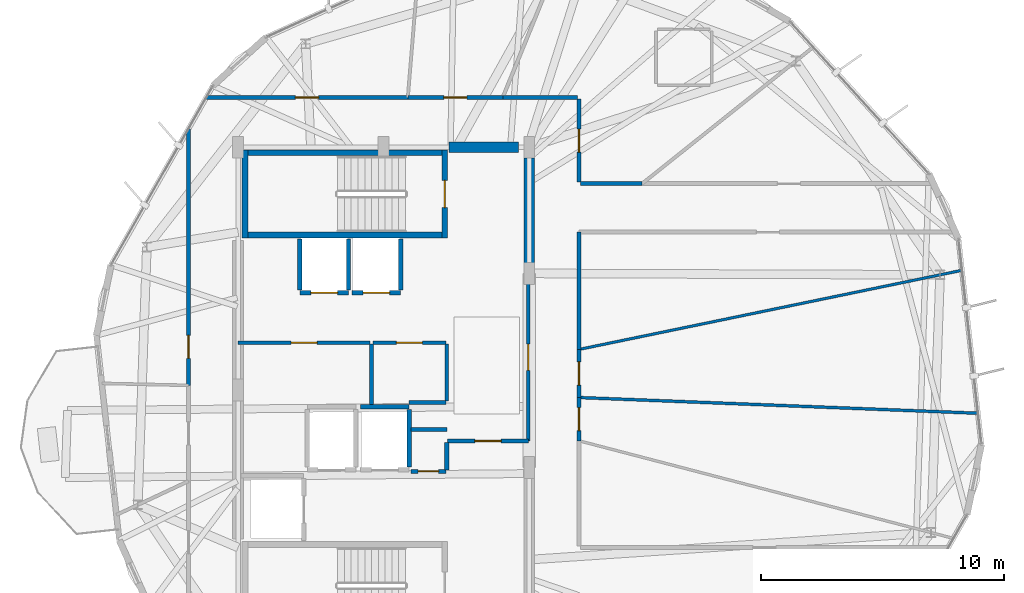
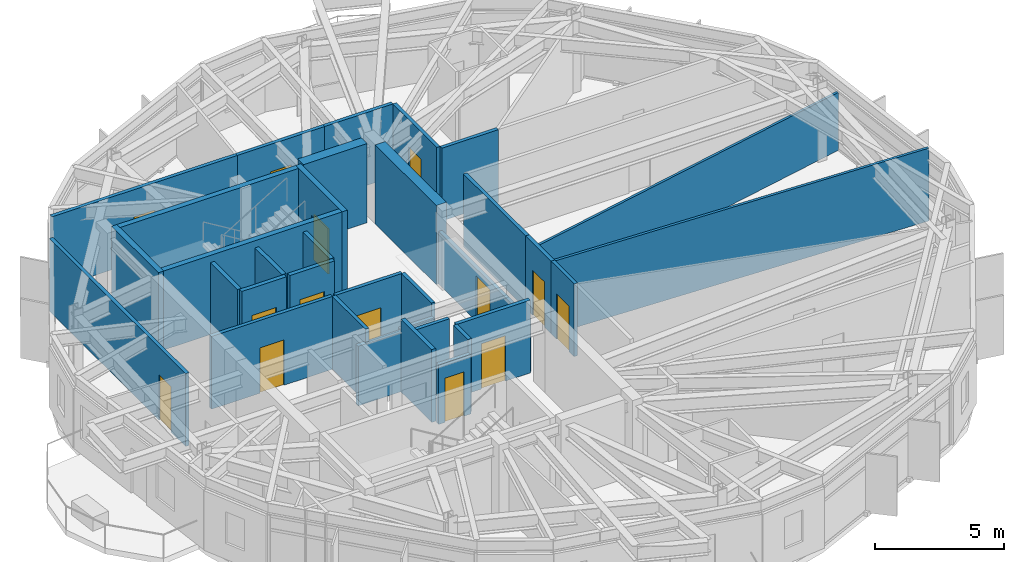
# One storey, part 18 of 23: 34 walls, 14 doors, 14 openings.
"""IFC4 building model written with IfcOpenShell, lengths in metres."""

from ifc_helpers import new_model, si_unit, direction, frame, frame_2d, origin, place, context, subcontext, project, spatial, rectangle, extrude, material, layer, layer_set, type_object, element, fill, save


model = new_model("IFC4")

# Units and contexts
model_context = context("Model", 3, precision=1e-05, world=origin(), true_north=direction((0.0, 1.0)))
body_context = subcontext(model_context, "Body", "Model", "MODEL_VIEW")
ifc_project = project(units=[si_unit("LENGTHUNIT", "METRE"), si_unit("AREAUNIT", "SQUARE_METRE"), si_unit("VOLUMEUNIT", "CUBIC_METRE"), si_unit("PLANEANGLEUNIT", "RADIAN"), si_unit("MASSUNIT", "GRAM", prefix="KILO")], contexts=[model_context])

# Site, building, storey
site_placement = place(None, origin())
site = spatial("IfcSite", under=ifc_project, at=site_placement, CompositionType="ELEMENT")
building_placement = place(site_placement, origin())
building = spatial("IfcBuilding", under=site, at=building_placement, Name="Soratama Intermodal Tower", CompositionType="ELEMENT")
storey_placement = place(building_placement, frame((0.0, 0.0, 257.5)))
storey = spatial("IfcBuildingStorey", under=building, at=storey_placement, Name="L65", CompositionType="ELEMENT", Elevation=257.5)

# Wall, opening, door
ifc_material_1 = material(Name="Fire-rated gypsum stud partition", Category="concrete")
ifc_layer_1 = layer(ifc_material_1, 0.159912109375)
ifc_layer_set_1 = layer_set([ifc_layer_1], Name="Fire-rated gypsum stud partition")
wall_type_1 = type_object("IfcWallType", Name="IW-PART-R160", PredefinedType="PARTITIONING", material=ifc_layer_set_1)
wall_1_placement = place(storey_placement, frame((30.550048828125, 25.18505859375, 0.0), z_axis=(0.0, 0.0, 1.0), x_axis=(0.0, 1.0, 0.0)))
wall_1 = element("IfcWall", 1, at=wall_1_placement, inside=storey, type_object=wall_type_1, Name="L65 Partition W-L65-TP008", PredefinedType="PARTITIONING", context=body_context, shape_type="SweptSolid", body=[
    extrude(rectangle(XDim=10.573974609375, YDim=0.159912109375, at=frame_2d((5.287109375, 0.0))), origin(), (0.0, 0.0, 1.0), 3.449951171875),
])
opening_1_placement = place(wall_1_placement, frame((1.111083984375, 0.0, 0.0)))
opening_1 = element("IfcOpeningElement", 2, at=opening_1_placement, cuts=wall_1, Name="Opening ID-3", PredefinedType="OPENING", context=body_context, shape_type="SweptSolid", body=[
    extrude(rectangle(XDim=0.949951171875, YDim=2.14990234375, at=frame_2d((0.47509765625, 1.074951171875))), frame((0.0, 0.08984375, 0.0), z_axis=(0.0, -1.0, 0.0), x_axis=(1.0, 0.0, 0.0)), (0.0, 0.0, 1.0), 0.179931640625),
])
ifc_material_2 = material(Name="Solid hardwood acoustic door", Category="wood")
door_type_1 = type_object("IfcDoorType", Name="DR-ROOM-950", OperationType="NOTDEFINED", PredefinedType="DOOR", material=ifc_material_2)
door_1_placement = place(opening_1_placement, origin())
door_1 = element("IfcDoor", 3, at=door_1_placement, inside=storey, type_object=door_type_1, Name="L65 Door D-L65-TP005", OperationType="SINGLE_SWING_RIGHT", OverallHeight=2.14990234375, OverallWidth=0.949951171875, PredefinedType="DOOR", context=body_context, shape_type="SweptSolid", body=[
    extrude(rectangle(XDim=0.949951171875, YDim=2.14990234375, at=frame_2d((0.47509765625, 1.074951171875))), frame((0.0, 0.02490234375, 0.0), z_axis=(0.0, -1.0, 0.0), x_axis=(1.0, 0.0, 0.0)), (0.0, 0.0, 1.0), 0.050048828125),
])
fill(opening_1, door_1)

wall_2_placement = place(storey_placement, frame((31.284912109375, 37.050048828125, 0.0), z_axis=(0.0, 0.0, 1.0), x_axis=(1.0, 0.0, 0.0)))
wall_2 = element("IfcWall", 4, at=wall_2_placement, inside=storey, type_object=wall_type_1, Name="L65 Partition W-L65-TP011", PredefinedType="PARTITIONING", context=body_context, shape_type="SweptSolid", body=[
    extrude(rectangle(XDim=8.31005859375, YDim=0.159912109375, at=frame_2d((4.155029296875, 0.0))), origin(), (0.0, 0.0, 1.0), 3.449951171875),
])
opening_2_placement = place(wall_2_placement, frame((3.679931640625, 0.0, 0.0)))
opening_2 = element("IfcOpeningElement", 5, at=opening_2_placement, cuts=wall_2, Name="Opening ID-3", PredefinedType="OPENING", context=body_context, shape_type="SweptSolid", body=[
    extrude(rectangle(XDim=0.949951171875, YDim=2.14990234375, at=frame_2d((0.47509765625, 1.074951171875))), frame((0.0, 0.08984375, 0.0), z_axis=(0.0, -1.0, 0.0), x_axis=(1.0, 0.0, 0.0)), (0.0, 0.0, 1.0), 0.179931640625),
])
door_2_placement = place(opening_2_placement, origin())
door_2 = element("IfcDoor", 6, at=door_2_placement, inside=storey, type_object=door_type_1, Name="L65 Door D-L65-TP006", OperationType="SINGLE_SWING_LEFT", OverallHeight=2.14990234375, OverallWidth=0.949951171875, PredefinedType="DOOR", context=body_context, shape_type="SweptSolid", body=[
    extrude(rectangle(XDim=0.949951171875, YDim=2.14990234375, at=frame_2d((0.47509765625, 1.074951171875))), frame((0.0, 0.02490234375, 0.0), z_axis=(0.0, -1.0, 0.0), x_axis=(1.0, 0.0, 0.0)), (0.0, 0.0, 1.0), 0.050048828125),
])
fill(opening_2, door_2)

wall_3_placement = place(storey_placement, frame((44.56005859375, 29.800048828125, 0.0), z_axis=(0.0, 0.0, 1.0), x_axis=(0.0, -1.0, 0.0)))
wall_3 = element("IfcWall", 7, at=wall_3_placement, inside=storey, type_object=wall_type_1, Name="L65 Partition W-L65-TP013", PredefinedType="PARTITIONING", context=body_context, shape_type="SweptSolid", body=[
    extrude(rectangle(XDim=6.91015625, YDim=0.159912109375, at=frame_2d((3.455078125, 0.0))), origin(), (0.0, 0.0, 1.0), 2.489990234375),
])
opening_3_placement = place(wall_3_placement, frame((2.9150390625, 0.0, 0.0)))
opening_3 = element("IfcOpeningElement", 8, at=opening_3_placement, cuts=wall_3, Name="Opening ID-1", PredefinedType="OPENING", context=body_context, shape_type="SweptSolid", body=[
    extrude(rectangle(XDim=1.080078125, YDim=2.14990234375, at=frame_2d((0.5400390625, 1.074951171875))), frame((0.0, 0.08984375, 0.0), z_axis=(0.0, -1.0, 0.0), x_axis=(1.0, 0.0, 0.0)), (0.0, 0.0, 1.0), 0.179931640625),
])
ifc_material_3 = material(Name="Solid hardwood acoustic door", Category="wood")
door_type_2 = type_object("IfcDoorType", Name="DR-LOB-FD60", OperationType="NOTDEFINED", PredefinedType="DOOR", material=ifc_material_3)
door_3_placement = place(opening_3_placement, origin())
door_3 = element("IfcDoor", 9, at=door_3_placement, inside=storey, type_object=door_type_2, Name="L65 Door D-L65-TP007", OperationType="SINGLE_SWING_RIGHT", OverallHeight=2.14990234375, OverallWidth=1.080078125, PredefinedType="DOOR", context=body_context, shape_type="SweptSolid", body=[
    extrude(rectangle(XDim=1.080078125, YDim=2.14990234375, at=frame_2d((0.5400390625, 1.074951171875))), frame((0.0, 0.02490234375, 0.0), z_axis=(0.0, -1.0, 0.0), x_axis=(1.0, 0.0, 0.0)), (0.0, 0.0, 1.0), 0.050048828125),
])
fill(opening_3, door_3)

wall_4_placement = place(storey_placement, frame((38.0400390625, 26.93994140625, 0.0), z_axis=(0.0, 0.0, 1.0), x_axis=(-1.0, 0.0, 0.0)))
wall_4 = element("IfcWall", 10, at=wall_4_placement, inside=storey, type_object=wall_type_1, Name="L65 Partition W-L65-TP015", PredefinedType="PARTITIONING", context=body_context, shape_type="SweptSolid", body=[
    extrude(rectangle(XDim=5.43994140625, YDim=0.159912109375, at=frame_2d((2.719970703125, 0.0))), origin(), (0.0, 0.0, 1.0), 3.449951171875),
])
opening_4_placement = place(wall_4_placement, frame((2.179931640625, 0.0, 0.0)))
opening_4 = element("IfcOpeningElement", 11, at=opening_4_placement, cuts=wall_4, Name="Opening ID-1", PredefinedType="OPENING", context=body_context, shape_type="SweptSolid", body=[
    extrude(rectangle(XDim=1.080078125, YDim=2.14990234375, at=frame_2d((0.5400390625, 1.074951171875))), frame((0.0, 0.08984375, 0.0), z_axis=(0.0, -1.0, 0.0), x_axis=(1.0, 0.0, 0.0)), (0.0, 0.0, 1.0), 0.179931640625),
])
door_4_placement = place(opening_4_placement, origin())
door_4 = element("IfcDoor", 12, at=door_4_placement, inside=storey, type_object=door_type_2, Name="L65 Door D-L65-TP008", OperationType="SINGLE_SWING_LEFT", OverallHeight=2.14990234375, OverallWidth=1.080078125, PredefinedType="DOOR", context=body_context, shape_type="SweptSolid", body=[
    extrude(rectangle(XDim=1.080078125, YDim=2.14990234375, at=frame_2d((0.5400390625, 1.074951171875))), frame((0.0, 0.02490234375, 0.0), z_axis=(0.0, -1.0, 0.0), x_axis=(1.0, 0.0, 0.0)), (0.0, 0.0, 1.0), 0.050048828125),
])
fill(opening_4, door_4)

# Wall
wall_5_placement = place(storey_placement, frame((46.64990234375, 31.5, 0.0), z_axis=(0.0, 0.0, 1.0), x_axis=(0.0, -1.0, 0.0)))
element("IfcWall", 13, at=wall_5_placement, inside=storey, type_object=wall_type_1, Name="L65 Partition W-L65-TP018", PredefinedType="PARTITIONING", context=body_context, shape_type="SweptSolid", body=[
    extrude(rectangle(XDim=4.8349609375, YDim=0.159912109375, at=frame_2d((2.41748046875, 0.0))), origin(), (0.0, 0.0, 1.0), 3.449951171875),
])

# Wall, opening, door
wall_6_placement = place(storey_placement, frame((39.594970703125, 37.050048828125, 0.0), z_axis=(0.0, 0.0, 1.0), x_axis=(1.0, 0.0, 0.0)))
wall_6 = element("IfcWall", 14, at=wall_6_placement, inside=storey, type_object=wall_type_1, Name="L65 Partition W-L65-TP021", PredefinedType="PARTITIONING", context=body_context, shape_type="SweptSolid", body=[
    extrude(rectangle(XDim=3.9130859375, YDim=0.159912109375, at=frame_2d((1.95654296875, 0.0))), origin(), (0.0, 0.0, 1.0), 3.449951171875),
])
opening_5_placement = place(wall_6_placement, frame((1.48193359375, 0.0, 0.0)))
opening_5 = element("IfcOpeningElement", 15, at=opening_5_placement, cuts=wall_6, Name="Opening ID-3", PredefinedType="OPENING", context=body_context, shape_type="SweptSolid", body=[
    extrude(rectangle(XDim=0.949951171875, YDim=2.14990234375, at=frame_2d((0.47509765625, 1.074951171875))), frame((0.0, 0.08984375, 0.0), z_axis=(0.0, -1.0, 0.0), x_axis=(1.0, 0.0, 0.0)), (0.0, 0.0, 1.0), 0.179931640625),
])
door_5_placement = place(opening_5_placement, origin())
door_5 = element("IfcDoor", 16, at=door_5_placement, inside=storey, type_object=door_type_1, Name="L65 Door D-L65-TP011", OperationType="SINGLE_SWING_RIGHT", OverallHeight=2.14990234375, OverallWidth=0.949951171875, PredefinedType="DOOR", context=body_context, shape_type="SweptSolid", body=[
    extrude(rectangle(XDim=0.949951171875, YDim=2.14990234375, at=frame_2d((0.47509765625, 1.074951171875))), frame((0.0, 0.02490234375, 0.0), z_axis=(0.0, -1.0, 0.0), x_axis=(1.0, 0.0, 0.0)), (0.0, 0.0, 1.0), 0.050048828125),
])
fill(opening_5, door_5)

wall_7_placement = place(storey_placement, frame((46.64990234375, 36.97998046875, 0.0), z_axis=(0.0, 0.0, 1.0), x_axis=(0.0, -1.0, 0.0)))
wall_7 = element("IfcWall", 17, at=wall_7_placement, inside=storey, type_object=wall_type_1, Name="L65 Partition W-L65-TP023", PredefinedType="PARTITIONING", context=body_context, shape_type="SweptSolid", body=[
    extrude(rectangle(XDim=3.409912109375, YDim=0.159912109375, at=frame_2d((1.705078125, 0.0))), origin(), (0.0, 0.0, 1.0), 3.449951171875),
])
opening_6_placement = place(wall_7_placement, frame((1.22998046875, 0.0, 0.0)))
opening_6 = element("IfcOpeningElement", 18, at=opening_6_placement, cuts=wall_7, Name="Opening ID-3", PredefinedType="OPENING", context=body_context, shape_type="SweptSolid", body=[
    extrude(rectangle(XDim=0.949951171875, YDim=2.14990234375, at=frame_2d((0.47509765625, 1.074951171875))), frame((0.0, 0.08984375, 0.0), z_axis=(0.0, -1.0, 0.0), x_axis=(1.0, 0.0, 0.0)), (0.0, 0.0, 1.0), 0.179931640625),
])
door_6_placement = place(opening_6_placement, origin())
door_6 = element("IfcDoor", 19, at=door_6_placement, inside=storey, type_object=door_type_1, Name="L65 Door D-L65-TP012", OperationType="SINGLE_SWING_LEFT", OverallHeight=2.14990234375, OverallWidth=0.949951171875, PredefinedType="DOOR", context=body_context, shape_type="SweptSolid", body=[
    extrude(rectangle(XDim=0.949951171875, YDim=2.14990234375, at=frame_2d((0.47509765625, 1.074951171875))), frame((0.0, 0.02490234375, 0.0), z_axis=(0.0, -1.0, 0.0), x_axis=(1.0, 0.0, 0.0)), (0.0, 0.0, 1.0), 0.050048828125),
])
fill(opening_6, door_6)

# Wall
wall_8_placement = place(storey_placement, frame((43.508056640625, 37.050048828125, 0.0), z_axis=(0.0, 0.0, 1.0), x_axis=(1.0, 0.0, 0.0)))
element("IfcWall", 20, at=wall_8_placement, inside=storey, type_object=wall_type_1, Name="L65 Partition W-L65-TP026", PredefinedType="PARTITIONING", context=body_context, shape_type="SweptSolid", body=[
    extrude(rectangle(XDim=3.072021484375, YDim=0.159912109375, at=frame_2d((1.5361328125, 0.0))), origin(), (0.0, 0.0, 1.0), 3.449951171875),
])

# Wall, opening, door
wall_9_placement = place(storey_placement, frame((41.159912109375, 26.93994140625, 0.0), z_axis=(0.0, 0.0, 1.0), x_axis=(-1.0, 0.0, 0.0)))
wall_9 = element("IfcWall", 21, at=wall_9_placement, inside=storey, type_object=wall_type_1, Name="L65 Partition W-L65-TP027", PredefinedType="PARTITIONING", context=body_context, shape_type="SweptSolid", body=[
    extrude(rectangle(XDim=3.0, YDim=0.159912109375, at=frame_2d((1.5, 0.0))), origin(), (0.0, 0.0, 1.0), 3.449951171875),
])
opening_7_placement = place(wall_9_placement, frame((0.9599609375, 0.0, 0.0)))
opening_7 = element("IfcOpeningElement", 22, at=opening_7_placement, cuts=wall_9, Name="Opening ID-1", PredefinedType="OPENING", context=body_context, shape_type="SweptSolid", body=[
    extrude(rectangle(XDim=1.080078125, YDim=2.14990234375, at=frame_2d((0.5400390625, 1.074951171875))), frame((0.0, 0.08984375, 0.0), z_axis=(0.0, -1.0, 0.0), x_axis=(1.0, 0.0, 0.0)), (0.0, 0.0, 1.0), 0.179931640625),
])
door_7_placement = place(opening_7_placement, origin())
door_7 = element("IfcDoor", 23, at=door_7_placement, inside=storey, type_object=door_type_2, Name="L65 Door D-L65-TP014", OperationType="SINGLE_SWING_LEFT", OverallHeight=2.14990234375, OverallWidth=1.080078125, PredefinedType="DOOR", context=body_context, shape_type="SweptSolid", body=[
    extrude(rectangle(XDim=1.080078125, YDim=2.14990234375, at=frame_2d((0.5400390625, 1.074951171875))), frame((0.0, 0.02490234375, 0.0), z_axis=(0.0, -1.0, 0.0), x_axis=(1.0, 0.0, 0.0)), (0.0, 0.0, 1.0), 0.050048828125),
])
fill(opening_7, door_7)

# Walls
wall_10_placement = place(storey_placement, frame((38.10009765625, 26.8798828125, 0.0), z_axis=(0.0, 0.0, 1.0), x_axis=(0.0, -1.0, 0.0)))
element("IfcWall", 24, at=wall_10_placement, inside=storey, type_object=wall_type_1, Name="L65 Partition W-L65-TP029", PredefinedType="PARTITIONING", context=body_context, shape_type="SweptSolid", body=[
    extrude(rectangle(XDim=2.579833984375, YDim=0.159912109375, at=frame_2d((1.2900390625, 0.0))), origin(), (0.0, 0.0, 1.0), 3.449951171875),
])
wall_11_placement = place(storey_placement, frame((46.719970703125, 33.5, 0.0), z_axis=(0.0, 0.0, 1.0), x_axis=(1.0, 0.0, 0.0)))
element("IfcWall", 25, at=wall_11_placement, inside=storey, type_object=wall_type_1, Name="L65 Partition W-L65-TP030", PredefinedType="PARTITIONING", context=body_context, shape_type="SweptSolid", body=[
    extrude(rectangle(XDim=2.533935546875, YDim=0.159912109375, at=frame_2d((1.26708984375, 0.0))), origin(), (0.0, 0.0, 1.0), 3.449951171875),
])
wall_12_placement = place(storey_placement, frame((41.199951171875, 24.550048828125, 0.0), z_axis=(0.0, 0.0, 1.0), x_axis=(0.0, 1.0, 0.0)))
element("IfcWall", 26, at=wall_12_placement, inside=storey, type_object=wall_type_1, Name="L65 Partition W-L65-TP031", PredefinedType="PARTITIONING", context=body_context, shape_type="SweptSolid", body=[
    extrude(rectangle(XDim=2.329833984375, YDim=0.159912109375, at=frame_2d((1.1650390625, 0.0))), origin(), (0.0, 0.0, 1.0), 3.449951171875),
])

# Wall, opening, door
wall_13_placement = place(storey_placement, frame((46.64990234375, 26.6650390625, 0.0), z_axis=(0.0, 0.0, 1.0), x_axis=(0.0, -1.0, 0.0)))
wall_13 = element("IfcWall", 27, at=wall_13_placement, inside=storey, type_object=wall_type_1, Name="L65 Partition W-L65-TP040", PredefinedType="PARTITIONING", context=body_context, shape_type="SweptSolid", body=[
    extrude(rectangle(XDim=1.98193359375, YDim=0.159912109375, at=frame_2d((0.990966796875, 0.0))), origin(), (0.0, 0.0, 1.0), 3.449951171875),
])
opening_8_placement = place(wall_13_placement, frame((0.51611328125, 0.0, 0.0)))
opening_8 = element("IfcOpeningElement", 28, at=opening_8_placement, cuts=wall_13, Name="Opening ID-3", PredefinedType="OPENING", context=body_context, shape_type="SweptSolid", body=[
    extrude(rectangle(XDim=0.949951171875, YDim=2.14990234375, at=frame_2d((0.47509765625, 1.074951171875))), frame((0.0, 0.08984375, 0.0), z_axis=(0.0, -1.0, 0.0), x_axis=(1.0, 0.0, 0.0)), (0.0, 0.0, 1.0), 0.179931640625),
])
door_8_placement = place(opening_8_placement, origin())
door_8 = element("IfcDoor", 29, at=door_8_placement, inside=storey, type_object=door_type_1, Name="L65 Door D-L65-TP018", OperationType="SINGLE_SWING_LEFT", OverallHeight=2.14990234375, OverallWidth=0.949951171875, PredefinedType="DOOR", context=body_context, shape_type="SweptSolid", body=[
    extrude(rectangle(XDim=0.949951171875, YDim=2.14990234375, at=frame_2d((0.47509765625, 1.074951171875))), frame((0.0, 0.02490234375, 0.0), z_axis=(0.0, -1.0, 0.0), x_axis=(1.0, 0.0, 0.0)), (0.0, 0.0, 1.0), 0.050048828125),
])
fill(opening_8, door_8)

wall_14_placement = place(storey_placement, frame((46.64990234375, 24.68310546875, 0.0), z_axis=(0.0, 0.0, 1.0), x_axis=(0.0, -1.0, 0.0)))
wall_14 = element("IfcWall", 30, at=wall_14_placement, inside=storey, type_object=wall_type_1, Name="L65 Partition W-L65-TP043", PredefinedType="PARTITIONING", context=body_context, shape_type="SweptSolid", body=[
    extrude(rectangle(XDim=1.7822265625, YDim=0.159912109375, at=frame_2d((0.89111328125, 0.0))), origin(), (0.0, 0.0, 1.0), 3.449951171875),
])
opening_9_placement = place(wall_14_placement, frame((0.416015625, 0.0, 0.0)))
opening_9 = element("IfcOpeningElement", 31, at=opening_9_placement, cuts=wall_14, Name="Opening ID-3", PredefinedType="OPENING", context=body_context, shape_type="SweptSolid", body=[
    extrude(rectangle(XDim=0.949951171875, YDim=2.14990234375, at=frame_2d((0.47509765625, 1.074951171875))), frame((0.0, 0.08984375, 0.0), z_axis=(0.0, -1.0, 0.0), x_axis=(1.0, 0.0, 0.0)), (0.0, 0.0, 1.0), 0.179931640625),
])
door_9_placement = place(opening_9_placement, origin())
door_9 = element("IfcDoor", 32, at=door_9_placement, inside=storey, type_object=door_type_1, Name="L65 Door D-L65-TP020", OperationType="SINGLE_SWING_LEFT", OverallHeight=2.14990234375, OverallWidth=0.949951171875, PredefinedType="DOOR", context=body_context, shape_type="SweptSolid", body=[
    extrude(rectangle(XDim=0.949951171875, YDim=2.14990234375, at=frame_2d((0.47509765625, 1.074951171875))), frame((0.0, 0.02490234375, 0.0), z_axis=(0.0, -1.0, 0.0), x_axis=(1.0, 0.0, 0.0)), (0.0, 0.0, 1.0), 0.050048828125),
])
fill(opening_9, door_9)

# Walls
wall_15_placement = place(storey_placement, frame((39.64990234375, 24.485107421875, 0.0), z_axis=(0.0, 0.0, 1.0), x_axis=(1.0, 0.0, 0.0)))
element("IfcWall", 33, at=wall_15_placement, inside=storey, type_object=wall_type_1, Name="L65 Partition W-L65-TP044", PredefinedType="PARTITIONING", context=body_context, shape_type="SweptSolid", body=[
    extrude(rectangle(XDim=1.510009765625, YDim=0.159912109375, at=frame_2d((0.7548828125, 0.0))), origin(), (0.0, 0.0, 1.0), 2.823974609375),
])
wall_16_placement = place(storey_placement, frame((41.199951171875, 23.360107421875, 0.0), z_axis=(0.0, 0.0, 1.0), x_axis=(-1.0, 0.0, 0.0)))
element("IfcWall", 34, at=wall_16_placement, inside=storey, type_object=wall_type_1, Name="L65 Partition W-L65-TP050", PredefinedType="PARTITIONING", context=body_context, shape_type="SweptSolid", body=[
    extrude(rectangle(XDim=1.47998046875, YDim=0.159912109375, at=frame_2d((0.739990234375, 0.0))), origin(), (0.0, 0.0, 1.0), 3.449951171875),
])

# Wall, opening, door
ifc_material_4 = material(Name="Fire-rated gypsum stud partition", Category="concrete")
ifc_layer_2 = layer(ifc_material_4, 0.169921875)
ifc_layer_set_2 = layer_set([ifc_layer_2], Name="Fire-rated gypsum stud partition")
wall_type_2 = type_object("IfcWallType", Name="IW-PART-R170", PredefinedType="PARTITIONING", material=ifc_layer_set_2)
wall_17_placement = place(storey_placement, frame((41.239990234375, 22.889892578125, 0.0), z_axis=(0.0, 0.0, 1.0), x_axis=(1.0, 0.0, 0.0)))
wall_17 = element("IfcWall", 35, at=wall_17_placement, inside=storey, type_object=wall_type_2, Name="L65 Partition W-L65-TP024", PredefinedType="PARTITIONING", context=body_context, shape_type="SweptSolid", body=[
    extrude(rectangle(XDim=3.320068359375, YDim=0.169921875, at=frame_2d((1.66015625, 0.0))), origin(), (0.0, 0.0, 1.0), 3.449951171875),
])
opening_10_placement = place(wall_17_placement, frame((1.1201171875, 0.0, 0.0)))
opening_10 = element("IfcOpeningElement", 36, at=opening_10_placement, cuts=wall_17, Name="Opening ID-0", PredefinedType="OPENING", context=body_context, shape_type="SweptSolid", body=[
    extrude(rectangle(XDim=1.080078125, YDim=2.14990234375, at=frame_2d((0.5400390625, 1.074951171875))), frame((0.0, 0.094970703125, 0.0), z_axis=(0.0, -1.0, 0.0), x_axis=(1.0, 0.0, 0.0)), (0.0, 0.0, 1.0), 0.18994140625),
])
ifc_material_5 = material(Name="Solid hardwood acoustic door", Category="wood")
door_type_3 = type_object("IfcDoorType", Name="DR-LOB-FD90", OperationType="NOTDEFINED", PredefinedType="DOOR", material=ifc_material_5)
door_10_placement = place(opening_10_placement, origin())
door_10 = element("IfcDoor", 37, at=door_10_placement, inside=storey, type_object=door_type_3, Name="L65 Door D-L65-TP013", OperationType="SINGLE_SWING_RIGHT", OverallHeight=2.14990234375, OverallWidth=1.080078125, PredefinedType="DOOR", context=body_context, shape_type="SweptSolid", body=[
    extrude(rectangle(XDim=1.080078125, YDim=2.14990234375, at=frame_2d((0.5400390625, 1.074951171875))), frame((0.0, 0.02490234375, 0.0), z_axis=(0.0, -1.0, 0.0), x_axis=(1.0, 0.0, 0.0)), (0.0, 0.0, 1.0), 0.050048828125),
])
fill(opening_10, door_10)

wall_18_placement = place(storey_placement, frame((39.719970703125, 21.639892578125, 0.0), z_axis=(0.0, 0.0, 1.0), x_axis=(1.0, 0.0, 0.0)))
wall_18 = element("IfcWall", 38, at=wall_18_placement, inside=storey, type_object=wall_type_2, Name="L65 Partition W-L65-TP045", PredefinedType="PARTITIONING", context=body_context, shape_type="SweptSolid", body=[
    extrude(rectangle(XDim=1.43994140625, YDim=0.169921875, at=frame_2d((0.719970703125, 0.0))), origin(), (0.0, 0.0, 1.0), 2.823974609375),
])
opening_11_placement = place(wall_18_placement, frame((0.294921875, 0.0, 0.0)))
opening_11 = element("IfcOpeningElement", 39, at=opening_11_placement, cuts=wall_18, Name="Opening ID-4", PredefinedType="OPENING", context=body_context, shape_type="SweptSolid", body=[
    extrude(rectangle(XDim=0.85009765625, YDim=2.10009765625, at=frame_2d((0.425048828125, 1.050048828125))), frame((0.0, 0.094970703125, 0.0), z_axis=(0.0, -1.0, 0.0), x_axis=(1.0, 0.0, 0.0)), (0.0, 0.0, 1.0), 0.18994140625),
])
ifc_material_6 = material(Name="Solid hardwood acoustic door", Category="wood")
door_type_4 = type_object("IfcDoorType", Name="DR-BATH-850", OperationType="NOTDEFINED", PredefinedType="DOOR", material=ifc_material_6)
door_11_placement = place(opening_11_placement, origin())
door_11 = element("IfcDoor", 40, at=door_11_placement, inside=storey, type_object=door_type_4, Name="L65 Door D-L65-TP021", OperationType="SINGLE_SWING_RIGHT", OverallHeight=2.10009765625, OverallWidth=0.85009765625, PredefinedType="DOOR", context=body_context, shape_type="SweptSolid", body=[
    extrude(rectangle(XDim=0.85009765625, YDim=2.10009765625, at=frame_2d((0.425048828125, 1.050048828125))), frame((0.0, 0.02490234375, 0.0), z_axis=(0.0, -1.0, 0.0), x_axis=(1.0, 0.0, 0.0)), (0.0, 0.0, 1.0), 0.050048828125),
])
fill(opening_11, door_11)

# Walls
wall_19_placement = place(storey_placement, frame((41.199951171875, 21.699951171875, 0.0), z_axis=(0.0, 0.0, 1.0), x_axis=(0.0, 1.0, 0.0)))
element("IfcWall", 41, at=wall_19_placement, inside=storey, type_object=wall_type_2, Name="L65 Partition W-L65-TP049", PredefinedType="PARTITIONING", context=body_context, shape_type="SweptSolid", body=[
    extrude(rectangle(XDim=1.1201171875, YDim=0.169921875, at=frame_2d((0.56005859375, 0.0))), origin(), (0.0, 0.0, 1.0), 3.449951171875),
])
ifc_material_7 = material(Name="Fire-rated gypsum stud partition", Category="concrete")
ifc_layer_3 = layer(ifc_material_7, 0.110107421875)
ifc_layer_set_3 = layer_set([ifc_layer_3], Name="Fire-rated gypsum stud partition")
wall_type_3 = type_object("IfcWallType", Name="IW-PART-S110", PredefinedType="PARTITIONING", material=ifc_layer_set_3)
wall_20_placement = place(storey_placement, frame((46.64990234375, 26.6650390625, 0.0), z_axis=(0.0, 0.0, 1.0), x_axis=(0.979311663395, 0.202357767181, 0.0)))
element("IfcWall", 42, at=wall_20_placement, inside=storey, type_object=wall_type_3, Name="L65 Partition W-L65-TP002", PredefinedType="PARTITIONING", context=body_context, shape_type="SweptSolid", body=[
    extrude(rectangle(XDim=16.12451171875, YDim=0.110107421875, at=frame_2d((8.062255859375, 0.0))), origin(), (0.0, 0.0, 1.0), 2.7451171875),
])
ifc_material_8 = material(Name="Fire-rated gypsum stud partition", Category="concrete")
ifc_layer_4 = layer(ifc_material_8, 0.1201171875)
ifc_layer_set_4 = layer_set([ifc_layer_4], Name="Fire-rated gypsum stud partition")
wall_type_4 = type_object("IfcWallType", Name="IW-PART-S120", PredefinedType="PARTITIONING", material=ifc_layer_set_4)
wall_21_placement = place(storey_placement, frame((63.097900390625, 24.034912109375, 0.0), z_axis=(0.0, 0.0, 1.0), x_axis=(-0.999224382553, 0.039378081603, 0.0)))
element("IfcWall", 43, at=wall_21_placement, inside=storey, type_object=wall_type_4, Name="L65 Partition W-L65-TP001", PredefinedType="PARTITIONING", context=body_context, shape_type="SweptSolid", body=[
    extrude(rectangle(XDim=16.460693359375, YDim=0.1201171875, at=frame_2d((8.23046875, 0.0))), origin(), (0.0, 0.0, 1.0), 3.449951171875),
])
ifc_material_9 = material(Name="Concrete f'c 42 MPa", Category="concrete")
ifc_layer_5 = layer(ifc_material_9, 0.18505859375)
ifc_layer_set_5 = layer_set([ifc_layer_5], Name="Concrete f'c 42 MPa")
wall_type_5 = type_object("IfcWallType", Name="IW-SHAFT-185", PredefinedType="SOLIDWALL", material=ifc_layer_set_5)
wall_22_placement = place(storey_placement, frame((37.64990234375, 24.300048828125, 0.0), z_axis=(0.0, 0.0, 1.0), x_axis=(1.0, 0.0, 0.0)))
element("IfcWall", 44, at=wall_22_placement, inside=storey, type_object=wall_type_5, Name="L65 FFL-2 Hoistway Wall N", PredefinedType="SOLIDWALL", context=body_context, shape_type="SweptSolid", body=[
    extrude(rectangle(XDim=2.0, YDim=0.18505859375, at=frame_2d((1.0, 0.0))), origin(), (0.0, 0.0, 1.0), 2.823974609375),
])
wall_23_placement = place(storey_placement, frame((39.64990234375, 21.81005859375, 0.0), z_axis=(0.0, 0.0, 1.0), x_axis=(0.0, 1.0, 0.0)))
element("IfcWall", 45, at=wall_23_placement, inside=storey, type_object=wall_type_5, Name="L65 FFL-2 Hoistway Wall E", PredefinedType="SOLIDWALL", context=body_context, shape_type="SweptSolid", body=[
    extrude(rectangle(XDim=2.3798828125, YDim=0.18505859375, at=frame_2d((1.18994140625, 0.0))), origin(), (0.0, 0.0, 1.0), 3.449951171875),
])

# Wall, opening, door
wall_24_placement = place(storey_placement, frame((35.14990234375, 29.0, 0.0), z_axis=(0.0, 0.0, 1.0), x_axis=(1.0, 0.0, 0.0)))
wall_24 = element("IfcWall", 46, at=wall_24_placement, inside=storey, type_object=wall_type_5, Name="L65 PL-H1 Hoistway Wall S", PredefinedType="SOLIDWALL", context=body_context, shape_type="SweptSolid", body=[
    extrude(rectangle(XDim=2.0, YDim=0.18505859375, at=frame_2d((1.0, 0.0))), origin(), (0.0, 0.0, 1.0), 3.449951171875),
])
opening_12_placement = place(wall_24_placement, frame((0.449951171875, 0.0, 0.0)))
opening_12 = element("IfcOpeningElement", 47, at=opening_12_placement, cuts=wall_24, Name="Opening LD-1", PredefinedType="OPENING", context=body_context, shape_type="SweptSolid", body=[
    extrude(rectangle(XDim=1.10009765625, YDim=2.14990234375, at=frame_2d((0.550048828125, 1.074951171875))), frame((0.0, 0.1025390625, 0.0), z_axis=(0.0, -1.0, 0.0), x_axis=(1.0, 0.0, 0.0)), (0.0, 0.0, 1.0), 0.205078125),
])
ifc_material_10 = material(Name="Steel fire door", Category="steel")
door_type_5 = type_object("IfcDoorType", Name="DR-LIFT-SLIDE", OperationType="NOTDEFINED", PredefinedType="DOOR", material=ifc_material_10)
door_12_placement = place(opening_12_placement, origin())
door_12 = element("IfcDoor", 48, at=door_12_placement, inside=storey, type_object=door_type_5, Name="L65 PL-H1 Sliding Landing Door", OperationType="SLIDING_TO_LEFT", OverallHeight=2.14990234375, OverallWidth=1.10009765625, PredefinedType="DOOR", context=body_context, shape_type="SweptSolid", body=[
    extrude(rectangle(XDim=1.10009765625, YDim=2.14990234375, at=frame_2d((0.550048828125, 1.074951171875))), frame((0.0, 0.02490234375, 0.0), z_axis=(0.0, -1.0, 0.0), x_axis=(1.0, 0.0, 0.0)), (0.0, 0.0, 1.0), 0.050048828125),
])
fill(opening_12, door_12)

# Walls
for number, where, z_axis, x_axis, name in (
    (49, (35.14990234375, 29.110107421875, 0.0), (0.0, 0.0, 1.0), (0.0, 1.0, 0.0), "L65 PL-H1 Hoistway Wall W"),
    (50, (37.14990234375, 29.110107421875, 0.0), (0.0, 0.0, 1.0), (0.0, 1.0, 0.0), "L65 PL-H1 Hoistway Wall E"),
):
    element("IfcWall", number, at=place(storey_placement, frame(where, z_axis=z_axis, x_axis=x_axis)), inside=storey, type_object=wall_type_5, Name=name, PredefinedType="SOLIDWALL", context=body_context, shape_type="SweptSolid", body=[
        extrude(rectangle(XDim=2.099853515625, YDim=0.18505859375, at=frame_2d((1.0498046875, 0.0))), origin(), (0.0, 0.0, 1.0), 3.449951171875),
    ])

# Wall, opening, door
wall_25_placement = place(storey_placement, frame((37.300048828125, 29.0, 0.0), z_axis=(0.0, 0.0, 1.0), x_axis=(1.0, 0.0, 0.0)))
wall_25 = element("IfcWall", 51, at=wall_25_placement, inside=storey, type_object=wall_type_5, Name="L65 PL-H2 Hoistway Wall S", PredefinedType="SOLIDWALL", context=body_context, shape_type="SweptSolid", body=[
    extrude(rectangle(XDim=2.0, YDim=0.18505859375, at=frame_2d((1.0, 0.0))), origin(), (0.0, 0.0, 1.0), 3.449951171875),
])
opening_13_placement = place(wall_25_placement, frame((0.449951171875, 0.0, 0.0)))
opening_13 = element("IfcOpeningElement", 52, at=opening_13_placement, cuts=wall_25, Name="Opening LD-1", PredefinedType="OPENING", context=body_context, shape_type="SweptSolid", body=[
    extrude(rectangle(XDim=1.10009765625, YDim=2.14990234375, at=frame_2d((0.550048828125, 1.074951171875))), frame((0.0, 0.1025390625, 0.0), z_axis=(0.0, -1.0, 0.0), x_axis=(1.0, 0.0, 0.0)), (0.0, 0.0, 1.0), 0.205078125),
])
door_13_placement = place(opening_13_placement, origin())
door_13 = element("IfcDoor", 53, at=door_13_placement, inside=storey, type_object=door_type_5, Name="L65 PL-H2 Sliding Landing Door", OperationType="SLIDING_TO_LEFT", OverallHeight=2.14990234375, OverallWidth=1.10009765625, PredefinedType="DOOR", context=body_context, shape_type="SweptSolid", body=[
    extrude(rectangle(XDim=1.10009765625, YDim=2.14990234375, at=frame_2d((0.550048828125, 1.074951171875))), frame((0.0, 0.02490234375, 0.0), z_axis=(0.0, -1.0, 0.0), x_axis=(1.0, 0.0, 0.0)), (0.0, 0.0, 1.0), 0.050048828125),
])
fill(opening_13, door_13)

# Walls
wall_26_placement = place(storey_placement, frame((39.300048828125, 29.110107421875, 0.0), z_axis=(0.0, 0.0, 1.0), x_axis=(0.0, 1.0, 0.0)))
element("IfcWall", 54, at=wall_26_placement, inside=storey, type_object=wall_type_5, Name="L65 PL-H2 Hoistway Wall E", PredefinedType="SOLIDWALL", context=body_context, shape_type="SweptSolid", body=[
    extrude(rectangle(XDim=2.099853515625, YDim=0.18505859375, at=frame_2d((1.0498046875, 0.0))), origin(), (0.0, 0.0, 1.0), 3.449951171875),
])
ifc_material_11 = material(Name="Concrete f'c 56 MPa", Category="concrete")
ifc_layer_6 = layer(ifc_material_11, 0.449951171875)
ifc_layer_set_6 = layer_set([ifc_layer_6], Name="Concrete f'c 56 MPa")
wall_type_6 = type_object("IfcWallType", Name="SW-CORE-450", PredefinedType="SHEAR", material=ifc_layer_set_6)
wall_27_placement = place(storey_placement, frame((41.300048828125, 35.0, 0.0), z_axis=(0.0, 0.0, 1.0), x_axis=(1.0, 0.0, 0.0)))
element("IfcWall", 55, at=wall_27_placement, inside=storey, type_object=wall_type_6, Name="L65 Core Shear Wall CW-NE", PredefinedType="SHEAR", context=body_context, shape_type="SweptSolid", body=[
    extrude(rectangle(XDim=2.849853515625, YDim=0.449951171875, at=frame_2d((1.4248046875, 0.0))), origin(), (0.0, 0.0, 1.0), 3.75),
])
wall_28_placement = place(storey_placement, frame((44.60009765625, 29.800048828125, 0.0), z_axis=(0.0, 0.0, 1.0), x_axis=(0.0, 1.0, 0.0)))
element("IfcWall", 56, at=wall_28_placement, inside=storey, type_object=wall_type_6, Name="L65 Core Shear Wall CW-EN", PredefinedType="SHEAR", context=body_context, shape_type="SweptSolid", body=[
    extrude(rectangle(XDim=4.75, YDim=0.449951171875, at=frame_2d((2.375, 0.0))), origin(), (0.0, 0.0, 1.0), 3.75),
])
ifc_material_12 = material(Name="Concrete f'c 56 MPa", Category="concrete")
ifc_layer_7 = layer(ifc_material_12, 0.239990234375)
ifc_layer_set_7 = layer_set([ifc_layer_7], Name="Concrete f'c 56 MPa")
wall_type_7 = type_object("IfcWallType", Name="SW-STAIR-240", PredefinedType="SHEAR", material=ifc_layer_set_7)
wall_29_placement = place(storey_placement, frame((32.8798828125, 31.260009765625, 0.0), z_axis=(0.0, 0.0, 1.0), x_axis=(0.0, 1.0, 0.0)))
element("IfcWall", 57, at=wall_29_placement, inside=storey, type_object=wall_type_7, Name="L65 ST-2 Shaft Shear Wall W", PredefinedType="SHEAR", context=body_context, shape_type="SweptSolid", body=[
    extrude(rectangle(XDim=3.6298828125, YDim=0.239990234375, at=frame_2d((1.81494140625, 0.0))), origin(), (0.0, 0.0, 1.0), 3.75),
])

# Wall, opening, door
wall_30_placement = place(storey_placement, frame((41.1201171875, 31.260009765625, 0.0), z_axis=(0.0, 0.0, 1.0), x_axis=(0.0, 1.0, 0.0)))
wall_30 = element("IfcWall", 58, at=wall_30_placement, inside=storey, type_object=wall_type_7, Name="L65 ST-2 Shaft Shear Wall E", PredefinedType="SHEAR", context=body_context, shape_type="SweptSolid", body=[
    extrude(rectangle(XDim=3.6298828125, YDim=0.239990234375, at=frame_2d((1.81494140625, 0.0))), origin(), (0.0, 0.0, 1.0), 3.75),
])
opening_14_placement = place(wall_30_placement, frame((1.2548828125, 0.0, 0.0)))
opening_14 = element("IfcOpeningElement", 59, at=opening_14_placement, cuts=wall_30, Name="Opening SD-1", PredefinedType="OPENING", context=body_context, shape_type="SweptSolid", body=[
    extrude(rectangle(XDim=1.1201171875, YDim=2.14990234375, at=frame_2d((0.56005859375, 1.074951171875))), frame((0.0, 0.1298828125, 0.0), z_axis=(0.0, -1.0, 0.0), x_axis=(1.0, 0.0, 0.0)), (0.0, 0.0, 1.0), 0.260009765625),
])
ifc_material_13 = material(Name="Steel fire door", Category="steel")
door_type_6 = type_object("IfcDoorType", Name="DR-STAIR-FD90", OperationType="NOTDEFINED", PredefinedType="DOOR", material=ifc_material_13)
door_14_placement = place(opening_14_placement, origin())
door_14 = element("IfcDoor", 60, at=door_14_placement, inside=storey, type_object=door_type_6, Name="L65 ST-2 Exit Stair Door", OperationType="SINGLE_SWING_RIGHT", OverallHeight=2.14990234375, OverallWidth=1.1201171875, PredefinedType="DOOR", context=body_context, shape_type="SweptSolid", body=[
    extrude(rectangle(XDim=1.1201171875, YDim=2.14990234375, at=frame_2d((0.56005859375, 1.074951171875))), frame((0.0, 0.02490234375, 0.0), z_axis=(0.0, -1.0, 0.0), x_axis=(1.0, 0.0, 0.0)), (0.0, 0.0, 1.0), 0.050048828125),
])
fill(opening_14, door_14)

# Walls
for number, where, z_axis, x_axis, name in (
    (61, (33.0, 31.3798828125, 0.0), (0.0, 0.0, 1.0), (1.0, 0.0, 0.0), "L65 ST-2 Shaft Shear Wall S"),
    (62, (33.0, 34.77001953125, 0.0), (0.0, 0.0, 1.0), (1.0, 0.0, 0.0), "L65 ST-2 Shaft Shear Wall N"),
):
    element("IfcWall", number, at=place(storey_placement, frame(where, z_axis=z_axis, x_axis=x_axis)), inside=storey, type_object=wall_type_7, Name=name, PredefinedType="SHEAR", context=body_context, shape_type="SweptSolid", body=[
        extrude(rectangle(XDim=8.0, YDim=0.239990234375, at=frame_2d((4.0, 0.0))), origin(), (0.0, 0.0, 1.0), 3.75),
    ])

save(model, "model.ifc")
